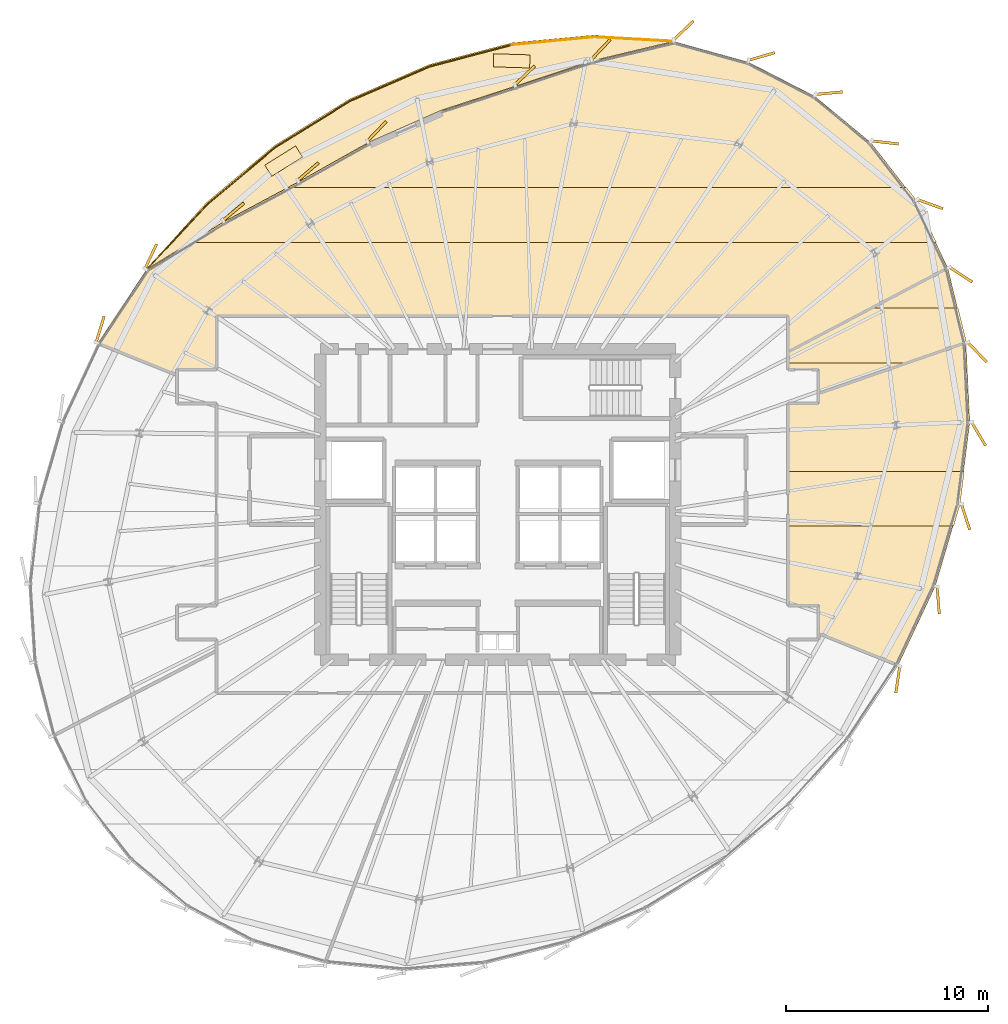
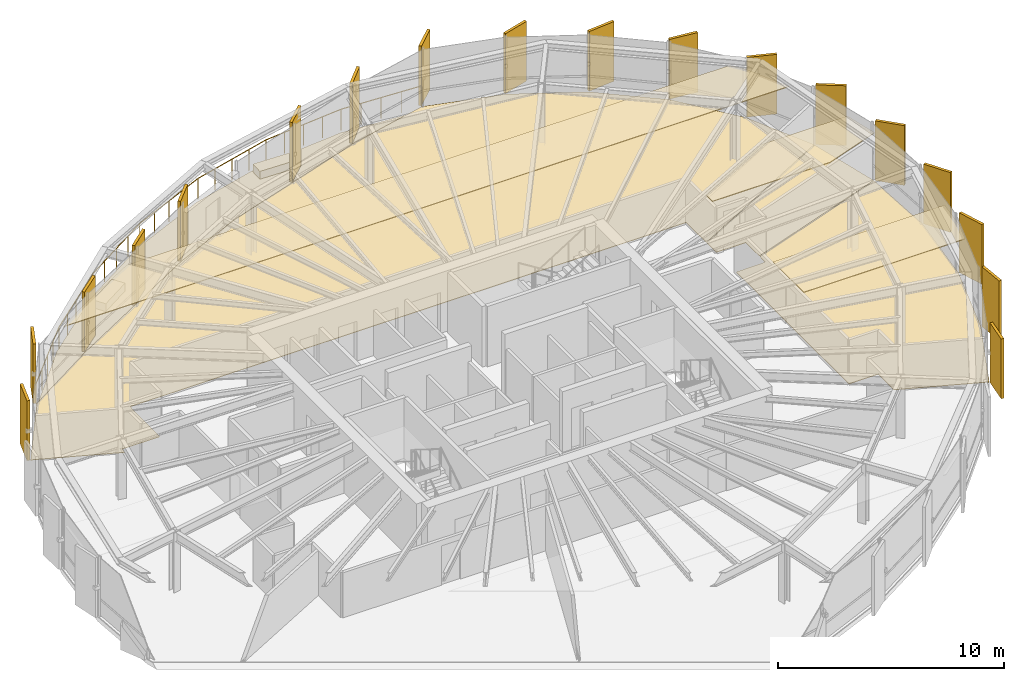
# One storey, part 33 of 33: 27 coverings, 7 railings.
"""IFC4 building model written with IfcOpenShell, lengths in metres."""

from ifc_helpers import new_model, si_unit, direction, frame, origin, origin_2d, place, context, subcontext, project, spatial, polyline, rectangle, circle, outline, extrude, source, transform, mapped, material, layer, layer_set, type_object, element, save


model = new_model("IFC4")

# Units and contexts
model_context = context("Model", 3, precision=1e-05, world=origin(), true_north=direction((0.0, 1.0)))
body_context = subcontext(model_context, "Body", "Model", "MODEL_VIEW")
ifc_project = project(units=[si_unit("LENGTHUNIT", "METRE"), si_unit("AREAUNIT", "SQUARE_METRE"), si_unit("VOLUMEUNIT", "CUBIC_METRE"), si_unit("PLANEANGLEUNIT", "RADIAN"), si_unit("MASSUNIT", "GRAM", prefix="KILO"), si_unit("THERMODYNAMICTEMPERATUREUNIT", "KELVIN")], contexts=[model_context])

# Site, building, storey
site_placement = place(None, origin())
site = spatial("IfcSite", under=ifc_project, at=site_placement, CompositionType="ELEMENT")
building_placement = place(site_placement, origin())
building = spatial("IfcBuilding", under=site, at=building_placement, Name="Kethvar Cultural Tower", CompositionType="ELEMENT")
storey_placement = place(building_placement, frame((0.0, 0.0, 211.39990234375)))
storey = spatial("IfcBuildingStorey", under=building, at=storey_placement, Name="L55", CompositionType="ELEMENT", Elevation=211.39990234375)

# Coverings
ifc_material_1 = material(Name="Acoustic Mineral Fibre Ceiling")
ifc_layer_1 = layer(ifc_material_1, 0.0400390625, Name="Acoustic Mineral Fibre Ceiling")
ifc_layer_set_1 = layer_set([ifc_layer_1], Name="Acoustic Mineral Fibre Ceiling (40 mm)")
covering_type_1 = type_object("IfcCoveringType", Name="CV-ACOUSTIC-CEIL", PredefinedType="CEILING", material=ifc_layer_set_1)
covering_1_placement = place(storey_placement, frame((0.0, 0.0, 2.56005859375)))
element("IfcCovering", 1, at=covering_1_placement, inside=storey, type_object=covering_type_1, Name="L55 Room 03 Acoustic Ceiling Panel", PredefinedType="CEILING", context=body_context, shape_type="SweptSolid", body=[
    extrude(outline(polyline([(69.720947265625, 27.797119140625), (69.4072265625, 26.734130859375), (61.179931640625, 26.734130859375), (61.179931640625, 29.444091796875), (69.92919921875, 29.444091796875), (69.720947265625, 27.797119140625)])), origin(), (0.0, 0.0, 1.0), 0.0400390625),
])
covering_2_placement = place(storey_placement, frame((0.0, 0.0, 2.56005859375)))
element("IfcCovering", 2, at=covering_2_placement, inside=storey, type_object=covering_type_1, Name="L55 Room 04 Acoustic Ceiling Panel", PredefinedType="CEILING", context=body_context, shape_type="SweptSolid", body=[
    extrude(outline(polyline([(70.04296875, 35.822021484375), (67.18115234375, 34.81689453125), (61.179931640625, 34.81689453125), (61.18896484375, 35.379638671875), (65.277099609375, 37.52685546875), (69.62939453125, 37.52685546875), (70.04296875, 35.822021484375)])), origin(), (0.0, 0.0, 1.0), 0.0400390625),
])
covering_3_placement = place(storey_placement, frame((0.0, 0.0, 2.56005859375)))
element("IfcCovering", 3, at=covering_3_placement, inside=storey, type_object=covering_type_1, Name="L55 Room 05 Acoustic Ceiling Panel", PredefinedType="CEILING", context=body_context, shape_type="SweptSolid", body=[
    extrude(outline(polyline([(33.210693359375, 41.829345703125), (36.3330078125, 43.501220703125), (67.072509765625, 43.501220703125), (67.555908203125, 42.877197265625), (68.54541015625, 40.791015625), (31.523193359375, 40.791015625), (33.210693359375, 41.829345703125)])), origin(), (0.0, 0.0, 1.0), 0.0400390625),
])
ifc_material_2 = material(Name="Architectural Oak Timber", Category="wood")
ifc_layer_2 = layer(ifc_material_2, 0.02490234375, Name="Architectural Oak Timber", Category="wood")
ifc_layer_set_2 = layer_set([ifc_layer_2], Name="Architectural Oak Timber (25 mm)")
covering_type_2 = type_object("IfcCoveringType", Name="CV-OAK-FLOOR", PredefinedType="FLOORING", material=ifc_layer_set_2)
covering_4_placement = place(storey_placement, origin())
element("IfcCovering", 4, at=covering_4_placement, inside=storey, type_object=covering_type_2, Name="L55 Room 03 Floor Finish", PredefinedType="FLOORING", context=body_context, shape_type="SweptSolid", body=[
    extrude(outline(polyline([(70.1953125, 31.86962890625), (69.681640625, 27.8037109375), (68.4833984375, 23.748046875), (66.648193359375, 19.845703125), (62.719970703125, 21.42431640625), (62.714111328125, 22.814208984375), (61.219970703125, 22.820068359375), (61.219970703125, 32.75830078125), (62.705810546875, 32.781005859375), (62.719970703125, 33.276123046875), (70.00439453125, 35.791748046875), (70.1953125, 31.86962890625)])), origin(), (0.0, 0.0, 1.0), 0.025146484375),
])
covering_5_placement = place(storey_placement, origin())
element("IfcCovering", 5, at=covering_5_placement, inside=storey, type_object=covering_type_2, Name="L55 Room 04 Floor Finish", PredefinedType="FLOORING", context=body_context, shape_type="SweptSolid", body=[
    extrude(outline(polyline([(69.99951171875, 35.832275390625), (62.719970703125, 33.318603515625), (62.712646484375, 34.515380859375), (61.219970703125, 34.52001953125), (61.219970703125, 35.350830078125), (69.110595703125, 39.4951171875), (69.99951171875, 35.832275390625)])), origin(), (0.0, 0.0, 1.0), 0.025146484375),
])
covering_6_placement = place(storey_placement, origin())
element("IfcCovering", 6, at=covering_6_placement, inside=storey, type_object=covering_type_2, Name="L55 Room 05 Floor Finish", PredefinedType="FLOORING", context=body_context, shape_type="SweptSolid", body=[
    extrude(outline(polyline([(69.09765625, 39.533447265625), (61.219970703125, 35.39599609375), (61.199951171875, 37.169921875), (32.847900390625, 37.169921875), (32.830078125, 34.52001953125), (30.89794921875, 34.52001953125), (30.8798828125, 34.240478515625), (26.99169921875, 35.808349609375), (29.39111328125, 39.431884765625), (33.231201171875, 41.795166015625), (40.41650390625, 45.736083984375), (44.00439453125, 47.32080078125), (51.474853515625, 49.77099609375), (55.54443359375, 50.7392578125), (59.212890625, 49.725830078125), (62.49951171875, 48.03857421875), (65.298095703125, 45.725830078125), (67.521728515625, 42.856201171875), (69.09765625, 39.533447265625)])), origin(), (0.0, 0.0, 1.0), 0.025146484375),
])
ifc_material_3 = material(Name="Insulated Waterproofing Membrane")
ifc_layer_3 = layer(ifc_material_3, 0.06005859375, Name="Insulated Waterproofing Membrane")
ifc_layer_set_3 = layer_set([ifc_layer_3], Name="Insulated Waterproofing Membrane (60 mm)")
covering_type_3 = type_object("IfcCoveringType", Name="CV-ROOF-MEMB", PredefinedType="ROOFING", material=ifc_layer_set_3)
covering_7_placement = place(storey_placement, frame((0.0, 0.0, -0.27490234375)))
element("IfcCovering", 7, at=covering_7_placement, inside=storey, type_object=covering_type_3, Name="L55 Terrace Waterproofing", PredefinedType="ROOFING", context=body_context, shape_type="SweptSolid", body=[
    extrude(outline(polyline([(55.544921875, 50.759765625), (51.602294921875, 51.075927734375), (47.51904296875, 50.68994140625), (43.4248046875, 49.618896484375), (39.44775390625, 47.899169921875), (35.7099609375, 45.583984375), (32.321533203125, 42.740478515625), (29.376708984375, 39.44677734375), (33.22119140625, 41.8125), (36.922119140625, 43.793701171875), (40.407470703125, 45.75390625), (43.997314453125, 47.339599609375), (47.673583984375, 48.533447265625), (51.469482421875, 49.790283203125), (55.544921875, 50.759765625)])), origin(), (0.0, 0.0, 1.0), 0.06005859375),
])

# Railings
ifc_material_4 = material(Name="Steel S355J2", Category="steel")
railing_type = type_object("IfcRailingType", Name="RL-EXT-GUARD-1150", PredefinedType="BALUSTRADE", material=ifc_material_4)
railing_1_placement = place(storey_placement, frame((55.544921875, 50.759765625, 0.0)))
element("IfcRailing", 8, at=railing_1_placement, inside=storey, type_object=railing_type, Name="L55 Spiralling Terrace Balustrade 01", PredefinedType="BALUSTRADE", context=body_context, shape_type="SweptSolid", body=[
    extrude(circle(Radius=0.02392578125, at=origin_2d()), frame((0.0, 0.0, 1.1259765625), z_axis=(-0.998486737394, 0.054993047267, 0.0), x_axis=(-0.054993047267, -0.998486737394, 0.0)), (0.0, 0.0, 1.0), 3.968994140625),
    extrude(circle(Radius=0.02099609375, at=origin_2d()), origin(), (0.0, 0.0, 1.0), 1.101806640625),
    extrude(circle(Radius=0.02099609375, at=origin_2d()), frame((-0.99072265625, 0.0546875, 0.0)), (0.0, 0.0, 1.0), 1.101806640625),
    extrude(circle(Radius=0.02099609375, at=origin_2d()), frame((-1.9814453125, 0.109130859375, 0.0)), (0.0, 0.0, 1.0), 1.101806640625),
    extrude(circle(Radius=0.02099609375, at=origin_2d()), frame((-2.97216796875, 0.16357421875, 0.0)), (0.0, 0.0, 1.0), 1.101806640625),
    extrude(circle(Radius=0.02099609375, at=origin_2d()), frame((-3.962890625, 0.21826171875, 0.0)), (0.0, 0.0, 1.0), 1.101806640625),
])
railing_2_placement = place(storey_placement, frame((51.58203125, 50.97802734375, 0.0)))
element("IfcRailing", 9, at=railing_2_placement, inside=storey, type_object=railing_type, Name="L55 Spiralling Terrace Balustrade 02", PredefinedType="BALUSTRADE", context=body_context, shape_type="SweptSolid", body=[
    extrude(circle(Radius=0.02392578125, at=origin_2d()), frame((0.0, 0.0, 1.1259765625), z_axis=(-0.995473956583, -0.095034739776, 0.0), x_axis=(0.095034739776, -0.995473956583, 0.0)), (0.0, 0.0, 1.0), 4.084716796875),
    extrude(circle(Radius=0.02099609375, at=origin_2d()), origin(), (0.0, 0.0, 1.0), 1.101806640625),
    extrude(circle(Radius=0.02099609375, at=origin_2d()), frame((-1.0166015625, -0.09716796875, 0.0)), (0.0, 0.0, 1.0), 1.101806640625),
    extrude(circle(Radius=0.02099609375, at=origin_2d()), frame((-2.033203125, -0.194091796875, 0.0)), (0.0, 0.0, 1.0), 1.101806640625),
    extrude(circle(Radius=0.02099609375, at=origin_2d()), frame((-3.049560546875, -0.291015625, 0.0)), (0.0, 0.0, 1.0), 1.101806640625),
    extrude(circle(Radius=0.02099609375, at=origin_2d()), frame((-4.066162109375, -0.38818359375, 0.0)), (0.0, 0.0, 1.0), 1.101806640625),
])
railing_3_placement = place(storey_placement, frame((47.515869140625, 50.58984375, 0.0)))
element("IfcRailing", 10, at=railing_3_placement, inside=storey, type_object=railing_type, Name="L55 Spiralling Terrace Balustrade 03", PredefinedType="BALUSTRADE", context=body_context, shape_type="SweptSolid", body=[
    extrude(circle(Radius=0.02392578125, at=origin_2d()), frame((0.0, 0.0, 1.1259765625), z_axis=(-0.96723718973, -0.253874415418, 0.0), x_axis=(0.253874415418, -0.96723718973, 0.0)), (0.0, 0.0, 1.0), 4.214111328125),
    extrude(circle(Radius=0.02099609375, at=origin_2d()), origin(), (0.0, 0.0, 1.0), 1.101806640625),
    extrude(circle(Radius=0.02099609375, at=origin_2d()), frame((-1.01904296875, -0.267578125, 0.0)), (0.0, 0.0, 1.0), 1.101806640625),
    extrude(circle(Radius=0.02099609375, at=origin_2d()), frame((-2.0380859375, -0.534912109375, 0.0)), (0.0, 0.0, 1.0), 1.101806640625),
    extrude(circle(Radius=0.02099609375, at=origin_2d()), frame((-3.056884765625, -0.80224609375, 0.0)), (0.0, 0.0, 1.0), 1.101806640625),
    extrude(circle(Radius=0.02099609375, at=origin_2d()), frame((-4.075927734375, -1.06982421875, 0.0)), (0.0, 0.0, 1.0), 1.101806640625),
])
railing_4_placement = place(storey_placement, frame((43.43994140625, 49.52001953125, 0.0)))
element("IfcRailing", 11, at=railing_4_placement, inside=storey, type_object=railing_type, Name="L55 Spiralling Terrace Balustrade 04", PredefinedType="BALUSTRADE", context=body_context, shape_type="SweptSolid", body=[
    extrude(circle(Radius=0.02392578125, at=origin_2d()), frame((0.0, 0.0, 1.1259765625), z_axis=(-0.917592103678, -0.397523246199, 0.0), x_axis=(0.397523246199, -0.917592103678, 0.0)), (0.0, 0.0, 1.0), 4.313232421875),
    extrude(circle(Radius=0.02099609375, at=origin_2d()), origin(), (0.0, 0.0, 1.0), 1.101806640625),
    extrude(circle(Radius=0.02099609375, at=origin_2d()), frame((-0.989501953125, -0.4287109375, 0.0)), (0.0, 0.0, 1.0), 1.101806640625),
    extrude(circle(Radius=0.02099609375, at=origin_2d()), frame((-1.97900390625, -0.857421875, 0.0)), (0.0, 0.0, 1.0), 1.101806640625),
    extrude(circle(Radius=0.02099609375, at=origin_2d()), frame((-2.96826171875, -1.285888671875, 0.0)), (0.0, 0.0, 1.0), 1.101806640625),
    extrude(circle(Radius=0.02099609375, at=origin_2d()), frame((-3.957763671875, -1.714599609375, 0.0)), (0.0, 0.0, 1.0), 1.101806640625),
])
railing_5_placement = place(storey_placement, frame((39.482177734375, 47.805419921875, 0.0)))
element("IfcRailing", 12, at=railing_5_placement, inside=storey, type_object=railing_type, Name="L55 Spiralling Terrace Balustrade 05", PredefinedType="BALUSTRADE", context=body_context, shape_type="SweptSolid", body=[
    extrude(circle(Radius=0.02392578125, at=origin_2d()), frame((0.0, 0.0, 1.1259765625), z_axis=(-0.849870212523, -0.526992051047, 0.0), x_axis=(0.526992051047, -0.849870212523, 0.0)), (0.0, 0.0, 1.0), 4.37646484375),
    extrude(circle(Radius=0.02099609375, at=origin_2d()), origin(), (0.0, 0.0, 1.0), 1.101806640625),
    extrude(circle(Radius=0.02099609375, at=origin_2d()), frame((-0.929931640625, -0.57666015625, 0.0)), (0.0, 0.0, 1.0), 1.101806640625),
    extrude(circle(Radius=0.02099609375, at=origin_2d()), frame((-1.85986328125, -1.1533203125, 0.0)), (0.0, 0.0, 1.0), 1.101806640625),
    extrude(circle(Radius=0.02099609375, at=origin_2d()), frame((-2.78955078125, -1.729736328125, 0.0)), (0.0, 0.0, 1.0), 1.101806640625),
    extrude(circle(Radius=0.02099609375, at=origin_2d()), frame((-3.719482421875, -2.306396484375, 0.0)), (0.0, 0.0, 1.0), 1.101806640625),
])
railing_6_placement = place(storey_placement, frame((35.7626953125, 45.4990234375, 0.0)))
element("IfcRailing", 13, at=railing_6_placement, inside=storey, type_object=railing_type, Name="L55 Spiralling Terrace Balustrade 06", PredefinedType="BALUSTRADE", context=body_context, shape_type="SweptSolid", body=[
    extrude(circle(Radius=0.02392578125, at=origin_2d()), frame((0.0, 0.0, 1.1259765625), z_axis=(-0.765906950175, -0.642951431816, 0.0), x_axis=(0.642951431816, -0.765906950175, 0.0)), (0.0, 0.0, 1.0), 4.402099609375),
    extrude(circle(Radius=0.02099609375, at=origin_2d()), origin(), (0.0, 0.0, 1.0), 1.101806640625),
    extrude(circle(Radius=0.02099609375, at=origin_2d()), frame((-0.8427734375, -0.70751953125, 0.0)), (0.0, 0.0, 1.0), 1.101806640625),
    extrude(circle(Radius=0.02099609375, at=origin_2d()), frame((-1.685791015625, -1.4150390625, 0.0)), (0.0, 0.0, 1.0), 1.101806640625),
    extrude(circle(Radius=0.02099609375, at=origin_2d()), frame((-2.52880859375, -2.122802734375, 0.0)), (0.0, 0.0, 1.0), 1.101806640625),
    extrude(circle(Radius=0.02099609375, at=origin_2d()), frame((-3.37158203125, -2.830322265625, 0.0)), (0.0, 0.0, 1.0), 1.101806640625),
])
railing_7_placement = place(storey_placement, frame((32.39111328125, 42.668701171875, 0.0)))
element("IfcRailing", 14, at=railing_7_placement, inside=storey, type_object=railing_type, Name="L55 Spiralling Terrace Balustrade 07", PredefinedType="BALUSTRADE", context=body_context, shape_type="SweptSolid", body=[
    extrude(circle(Radius=0.02392578125, at=origin_2d()), frame((0.0, 0.0, 1.1259765625), z_axis=(-0.683199011383, -0.730232230763, 0.0), x_axis=(0.730232230763, -0.683199011383, 0.0)), (0.0, 0.0, 1.0), 4.412109375),
    extrude(circle(Radius=0.02099609375, at=origin_2d()), origin(), (0.0, 0.0, 1.0), 1.101806640625),
    extrude(circle(Radius=0.02099609375, at=origin_2d()), frame((-0.753662109375, -0.805419921875, 0.0)), (0.0, 0.0, 1.0), 1.101806640625),
    extrude(circle(Radius=0.02099609375, at=origin_2d()), frame((-1.50732421875, -1.61083984375, 0.0)), (0.0, 0.0, 1.0), 1.101806640625),
    extrude(circle(Radius=0.02099609375, at=origin_2d()), frame((-2.2607421875, -2.41650390625, 0.0)), (0.0, 0.0, 1.0), 1.101806640625),
    extrude(circle(Radius=0.02099609375, at=origin_2d()), frame((-3.014404296875, -3.221923828125, 0.0)), (0.0, 0.0, 1.0), 1.101806640625),
])

# Coverings
ifc_material_5 = material(Name="Extruded Architectural Terracotta", Category="masonry")
ifc_layer_4 = layer(ifc_material_5, 0.419921875, Name="Extruded Architectural Terracotta", Category="masonry")
ifc_layer_set_4 = layer_set([ifc_layer_4], Name="Extruded Architectural Terracotta (420 mm)")
covering_type_4 = type_object("IfcCoveringType", Name="Terracotta Terrace Planter PLANTER-01", PredefinedType="USERDEFINED", material=ifc_layer_set_4)
shared_shape_1 = source(origin(), body_context, "Body", "SweptSolid", [
    extrude(rectangle(XDim=1.800048828125, YDim=0.64990234375, at=origin_2d()), origin(), (0.0, 0.0, 1.0), 0.419921875),
])
for number, where, z_axis, x_axis, name in (
    (15, (47.49072265625, 49.790283203125, 0.000244140625), (0.0, 0.0, 1.0), (-0.999506560366, 0.031410759078, 0.0), "L55 Sky Terrace Planter Box A"),
    (16, (36.18603515625, 44.8203125, 0.000244140625), (0.0, 0.0, 1.0), (-0.848510214982, -0.529179000974, 0.0), "L55 Sky Terrace Planter Box B"),
):
    element("IfcCovering", number, at=place(storey_placement, frame(where, z_axis=z_axis, x_axis=x_axis)), inside=storey, type_object=covering_type_4, Name=name, ObjectType="PLANTER", PredefinedType="USERDEFINED", context=body_context, shape_type="MappedRepresentation", body=[
        mapped(shared_shape_1, transform((0.0, 0.0, 0.0), scale=1.0)),
    ])
ifc_layer_5 = layer(ifc_material_5, 0.135009765625, Name="Extruded Architectural Terracotta", Category="masonry")
ifc_layer_set_5 = layer_set([ifc_layer_5], Name="Extruded Architectural Terracotta (135 mm)")
covering_type_5 = type_object("IfcCoveringType", Name="Terracotta Facade Fin FIN-03", PredefinedType="CLADDING", material=ifc_layer_set_5)
shared_shape_2 = source(origin(), body_context, "Body", "SweptSolid", [
    extrude(rectangle(XDim=1.35009765625, YDim=0.135009765625, at=origin_2d()), origin(), (0.0, 0.0, 1.0), 3.219970703125),
])
for number, where, z_axis, x_axis, name in (
    (17, (66.003662109375, 45.74658203125, 0.02001953125), (0.0, 0.0, 1.0), (0.993006778393, -0.11805735075, 0.0), "L55 Vertical Terracotta Fin 1.1"),
    (18, (63.21923828125, 48.189208984375, 0.02001953125), (0.0, 0.0, 1.0), (0.995659968702, 0.093065711857, 0.0), "L55 Vertical Terracotta Fin 1.2"),
    (19, (59.8896484375, 50.010009765625, 0.02001953125), (0.0, 0.0, 1.0), (0.960293685677, 0.278991106039, 0.0), "L55 Vertical Terracotta Fin 1.3"),
    (20, (56.015625, 51.302490234375, 0.02001953125), (0.0, 0.0, 1.0), (0.724893632131, 0.688860814748, 0.0), "L55 Vertical Terracotta Fin 1.4"),
    (21, (51.909912109375, 50.35498046875, 0.02001953125), (0.0, 0.0, 1.0), (0.689998624687, 0.723810678237, 0.0), "L55 Vertical Terracotta Fin 1.5"),
    (22, (48.14111328125, 49.0712890625, 0.02001953125), (0.0, 0.0, 1.0), (0.729326955506, 0.684165325029, 0.0), "L55 Vertical Terracotta Fin 1.6"),
    (23, (40.80029296875, 46.29296875, 0.02001953125), (0.0, 0.0, 1.0), (0.690377516471, 0.7234492966, 0.0), "L55 Vertical Terracotta Fin 2.1"),
    (24, (37.3984375, 44.301513671875, 0.02001953125), (0.0, 0.0, 1.0), (0.761764497661, 0.647854034566, 0.0), "L55 Vertical Terracotta Fin 2.2"),
    (25, (33.69921875, 42.310791015625, 0.02001953125), (0.0, 0.0, 1.0), (0.770401979567, 0.63755845997, 0.0), "L55 Vertical Terracotta Fin 2.3"),
    (26, (29.600830078125, 40.10009765625, 0.02001953125), (0.0, 0.0, 1.0), (0.4306686211, 0.902510132242, 0.0), "L55 Vertical Terracotta Fin 2.4"),
    (27, (27.0859375, 36.478271484375, 0.02001953125), (0.0, 0.0, 1.0), (0.292037873584, 0.956406754677, 0.0), "L55 Vertical Terracotta Fin 2.5"),
    (28, (66.632568359375, 19.1181640625, 0.02001953125), (0.0, 0.0, 1.0), (-0.145392350643, -0.989374077068, 0.0), "L55 Vertical Terracotta Fin 5.5"),
    (29, (68.634765625, 23.045654296875, 0.02001953125), (0.0, 0.0, 1.0), (0.082808207512, -0.996565502498, 0.0), "L55 Vertical Terracotta Fin 5.6"),
    (30, (69.99169921875, 27.185546875, 0.02001953125), (0.0, 0.0, 1.0), (0.30536293049, -0.952236042525, 0.0), "L55 Vertical Terracotta Fin 6.1"),
    (31, (70.639892578125, 31.29248046875, 0.02001953125), (0.0, 0.0, 1.0), (0.510692982667, -0.859763151952, 0.0), "L55 Vertical Terracotta Fin 6.2"),
    (32, (70.568115234375, 35.350830078125, 0.02001953125), (0.0, 0.0, 1.0), (0.69189118986, -0.722001787667, 0.0), "L55 Vertical Terracotta Fin 6.3"),
    (33, (69.76220703125, 39.19140625, 0.02001953125), (0.0, 0.0, 1.0), (0.838765612615, -0.544492651093, 0.0), "L55 Vertical Terracotta Fin 6.4"),
    (34, (68.237548828125, 42.687744140625, 0.02001953125), (0.0, 0.0, 1.0), (0.941352819014, -0.337423873096, 0.0), "L55 Vertical Terracotta Fin 6.5"),
):
    element("IfcCovering", number, at=place(storey_placement, frame(where, z_axis=z_axis, x_axis=x_axis)), inside=storey, type_object=covering_type_5, Name=name, PredefinedType="CLADDING", context=body_context, shape_type="MappedRepresentation", body=[
        mapped(shared_shape_2, transform((0.0, 0.0, 0.0), scale=1.0)),
    ])

save(model, "model.ifc")
